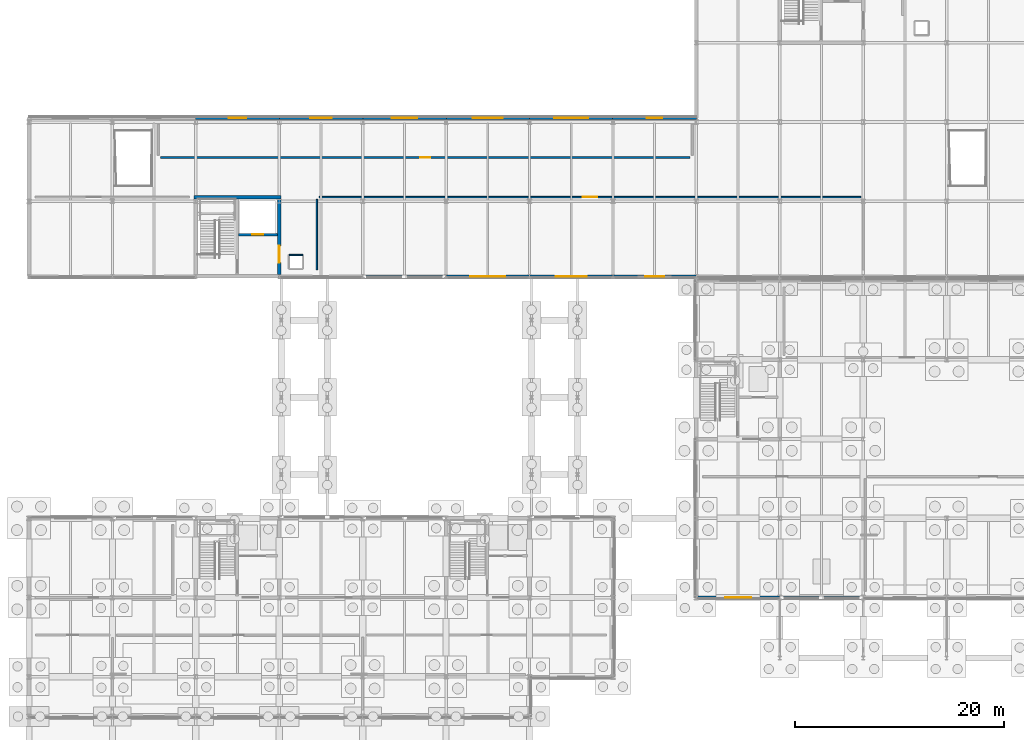
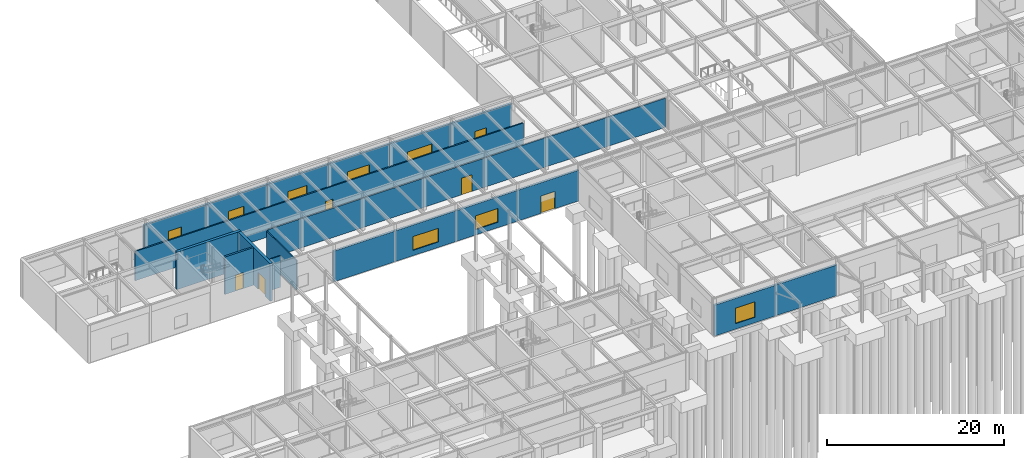
# One storey, part 42 of 62: 19 walls, 9 windows, 5 doors, 14 openings.
"""IFC4 building model written with IfcOpenShell, lengths in metres."""

from ifc_helpers import new_model, si_unit, direction, frame, frame_2d, origin, place, context, subcontext, project, spatial, rectangle, extrude, material, layer, layer_set, type_object, element, fill, save


model = new_model("IFC4")

# Units and contexts
model_context = context("Model", 3, precision=1e-05, world=origin(), true_north=direction((0.0, 1.0)))
body_context = subcontext(model_context, "Body", "Model", "MODEL_VIEW")
ifc_project = project(units=[si_unit("LENGTHUNIT", "METRE"), si_unit("AREAUNIT", "SQUARE_METRE"), si_unit("VOLUMEUNIT", "CUBIC_METRE"), si_unit("PLANEANGLEUNIT", "RADIAN"), si_unit("MASSUNIT", "GRAM", prefix="KILO")], contexts=[model_context])

# Site, building, storey
site_placement = place(None, origin())
site = spatial("IfcSite", under=ifc_project, at=site_placement, CompositionType="ELEMENT")
building_placement = place(site_placement, origin())
building = spatial("IfcBuilding", under=site, at=building_placement, Name="Zulena Civic Courthouse", CompositionType="ELEMENT")
storey_placement = place(building_placement, origin())
storey = spatial("IfcBuildingStorey", under=building, at=storey_placement, Name="L00", CompositionType="ELEMENT", Elevation=0.0)

# Wall, opening, door
ifc_material_1 = material(Name="Concrete C40/50", Category="concrete")
ifc_layer_1 = layer(ifc_material_1, 0.25)
ifc_layer_set_1 = layer_set([ifc_layer_1], Name="Concrete C40/50")
wall_type_1 = type_object("IfcWallType", Name="CoreShearWall_RC250", PredefinedType="SHEAR", material=ifc_layer_set_1)
wall_1_placement = place(storey_placement, frame((24.074951171875, 50.0, 0.0), z_axis=(0.0, 0.0, 1.0), x_axis=(1.0, 0.0, 0.0)))
wall_1 = element("IfcWall", 1, at=wall_1_placement, inside=storey, type_object=wall_type_1, Name="cwall:K5A:L00:SHF", PredefinedType="SHEAR", context=body_context, shape_type="SweptSolid", body=[
    extrude(rectangle(XDim=3.75, YDim=0.25, at=frame_2d((1.875, 0.0))), origin(), (0.0, 0.0, 1.0), 5.18994140625),
])
opening_1_placement = place(wall_1_placement, frame((1.344970703125, 0.0, 0.0)))
opening_1 = element("IfcOpeningElement", 2, at=opening_1_placement, cuts=wall_1, Name="Opening LD03", PredefinedType="OPENING", context=body_context, shape_type="SweptSolid", body=[
    extrude(rectangle(XDim=1.050048828125, YDim=2.199951171875, at=frame_2d((0.52490234375, 1.10009765625))), frame((0.0, 0.135009765625, 0.0), z_axis=(0.0, -1.0, 0.0), x_axis=(1.0, 0.0, 0.0)), (0.0, 0.0, 1.0), 0.27001953125),
])
ifc_material_2 = material(Name="Fire-rated galvanised steel ASTM A653 Grade 50", Category="steel")
door_type_1 = type_object("IfcDoorType", Name="LiftLandingDoor_Jud_1050x2200", OperationType="SLIDING_TO_RIGHT", PredefinedType="DOOR", material=ifc_material_2)
door_1_placement = place(opening_1_placement, origin())
door_1 = element("IfcDoor", 3, at=door_1_placement, inside=storey, type_object=door_type_1, Name="door:ld:JL-02:L00", OperationType="SLIDING_TO_RIGHT", OverallHeight=2.199951171875, OverallWidth=1.050048828125, PredefinedType="DOOR", context=body_context, shape_type="SweptSolid", body=[
    extrude(rectangle(XDim=1.050048828125, YDim=2.199951171875, at=frame_2d((0.52490234375, 1.10009765625))), frame((0.0, 0.02490234375, 0.0), z_axis=(0.0, -1.0, 0.0), x_axis=(1.0, 0.0, 0.0)), (0.0, 0.0, 1.0), 0.050048828125),
])
fill(opening_1, door_1)

# Wall
ifc_layer_2 = layer(ifc_material_1, 0.35009765625)
ifc_layer_set_2 = layer_set([ifc_layer_2], Name="Concrete C40/50")
wall_type_2 = type_object("IfcWallType", Name="CoreShearWall_RC350", PredefinedType="SHEAR", material=ifc_layer_set_2)
wall_2_placement = place(storey_placement, frame((19.824951171875, 53.60009765625, 0.0), z_axis=(0.0, 0.0, 1.0), x_axis=(1.0, 0.0, 0.0)))
element("IfcWall", 4, at=wall_2_placement, inside=storey, type_object=wall_type_2, Name="cwall:K5A:L00:N", PredefinedType="SHEAR", context=body_context, shape_type="SweptSolid", body=[
    extrude(rectangle(XDim=8.35009765625, YDim=0.35009765625, at=frame_2d((4.175048828125, 0.0))), origin(), (0.0, 0.0, 1.0), 5.18994140625),
])

# Wall, opening, door
wall_3_placement = place(storey_placement, frame((28.0, 46.175048828125, 0.0), z_axis=(0.0, 0.0, 1.0), x_axis=(0.0, 1.0, 0.0)))
wall_3 = element("IfcWall", 5, at=wall_3_placement, inside=storey, type_object=wall_type_2, Name="cwall:K5A:L00:E", PredefinedType="SHEAR", context=body_context, shape_type="SweptSolid", body=[
    extrude(rectangle(XDim=7.25, YDim=0.35009765625, at=frame_2d((3.625, 0.0))), origin(), (0.0, 0.0, 1.0), 5.18994140625),
])
opening_2_placement = place(wall_3_placement, frame((1.14990234375, 0.0, 0.0)))
opening_2 = element("IfcOpeningElement", 6, at=opening_2_placement, cuts=wall_3, Name="Opening ID04", PredefinedType="OPENING", context=body_context, shape_type="SweptSolid", body=[
    extrude(rectangle(XDim=1.60009765625, YDim=2.35009765625, at=frame_2d((0.800048828125, 1.175048828125))), frame((0.0, 0.18505859375, 0.0), z_axis=(0.0, -1.0, 0.0), x_axis=(1.0, 0.0, 0.0)), (0.0, 0.0, 1.0), 0.3701171875),
])
ifc_material_3 = material(Name="Solid-core acoustic hardwood timber", Category="wood")
door_type_2 = type_object("IfcDoorType", Name="IntDoor_CourtPublic_1600x2350", OperationType="DOUBLE_DOOR_SINGLE_SWING", PredefinedType="DOOR", material=ifc_material_3)
door_2_placement = place(opening_2_placement, origin())
door_2 = element("IfcDoor", 7, at=door_2_placement, inside=storey, type_object=door_type_2, Name="door:corelob:K5A:L00", OperationType="DOUBLE_DOOR_SINGLE_SWING", OverallHeight=2.35009765625, OverallWidth=1.60009765625, PredefinedType="DOOR", context=body_context, shape_type="SweptSolid", body=[
    extrude(rectangle(XDim=1.60009765625, YDim=2.35009765625, at=frame_2d((0.800048828125, 1.175048828125))), frame((0.0, 0.02490234375, 0.0), z_axis=(0.0, -1.0, 0.0), x_axis=(1.0, 0.0, 0.0)), (0.0, 0.0, 1.0), 0.050048828125),
])
fill(opening_2, door_2)

# Wall, opening, window
ifc_material_4 = material(Name="Buff architectural precast concrete C40/50", Category="concrete")
ifc_layer_3 = layer(ifc_material_4, 0.264892578125)
ifc_layer_set_3 = layer_set([ifc_layer_3], Name="Buff architectural precast concrete C40/50")
wall_type_3 = type_object("IfcWallType", Name="ExtWall_BuffPrecast_265", PredefinedType="STANDARD", material=ifc_layer_set_3)
wall_4_placement = place(storey_placement, frame((19.97998046875, 61.199951171875, 0.0), z_axis=(0.0, 0.0, 1.0), x_axis=(1.0, 0.0, 0.0)))
wall_4 = element("IfcWall", 8, at=wall_4_placement, inside=storey, type_object=wall_type_3, Name="ewall:V5:L00:1:2", PredefinedType="STANDARD", context=body_context, shape_type="SweptSolid", body=[
    extrude(rectangle(XDim=8.0400390625, YDim=0.264892578125, at=frame_2d((4.02001953125, 0.0))), origin(), (0.0, 0.0, 1.0), 4.25),
])
opening_3_placement = place(wall_4_placement, frame((3.195068359375, 0.0, 0.75)))
opening_3 = element("IfcOpeningElement", 9, at=opening_3_placement, cuts=wall_4, Name="Opening WN25", PredefinedType="OPENING", context=body_context, shape_type="SweptSolid", body=[
    extrude(rectangle(XDim=1.64990234375, YDim=1.550048828125, at=frame_2d((0.824951171875, 0.77490234375))), frame((0.0, 0.142333984375, 0.0), z_axis=(0.0, -1.0, 0.0), x_axis=(1.0, 0.0, 0.0)), (0.0, 0.0, 1.0), 0.284912109375),
])
ifc_material_5 = material(Name="Double-silver low-E laminated solar-control glass", Category="glass")
window_type_1 = type_object("IfcWindowType", Name="Win_1650x1550", PartitioningType="SINGLE_PANEL", PredefinedType="WINDOW", material=ifc_material_5)
window_1_placement = place(opening_3_placement, origin())
window_1 = element("IfcWindow", 10, at=window_1_placement, inside=storey, type_object=window_type_1, Name="win:V5:L00:1:2", OverallHeight=1.550048828125, OverallWidth=1.64990234375, PartitioningType="SINGLE_PANEL", PredefinedType="WINDOW", context=body_context, shape_type="SweptSolid", body=[
    extrude(rectangle(XDim=1.64990234375, YDim=1.550048828125, at=frame_2d((0.824951171875, 0.77490234375))), frame((0.0, 0.030029296875, 0.0), z_axis=(0.0, -1.0, 0.0), x_axis=(1.0, 0.0, 0.0)), (0.0, 0.0, 1.0), 0.06005859375),
])
fill(opening_3, window_1)

wall_5_placement = place(storey_placement, frame((27.97998046875, 61.199951171875, 0.0), z_axis=(0.0, 0.0, 1.0), x_axis=(1.0, 0.0, 0.0)))
wall_5 = element("IfcWall", 11, at=wall_5_placement, inside=storey, type_object=wall_type_3, Name="ewall:V5:L00:1:3", PredefinedType="STANDARD", context=body_context, shape_type="SweptSolid", body=[
    extrude(rectangle(XDim=8.0400390625, YDim=0.264892578125, at=frame_2d((4.02001953125, 0.0))), origin(), (0.0, 0.0, 1.0), 4.25),
])
opening_4_placement = place(wall_5_placement, frame((2.9951171875, 0.0, 0.75)))
opening_4 = element("IfcOpeningElement", 12, at=opening_4_placement, cuts=wall_5, Name="Opening WN26", PredefinedType="OPENING", context=body_context, shape_type="SweptSolid", body=[
    extrude(rectangle(XDim=2.050048828125, YDim=1.550048828125, at=frame_2d((1.02490234375, 0.77490234375))), frame((0.0, 0.142333984375, 0.0), z_axis=(0.0, -1.0, 0.0), x_axis=(1.0, 0.0, 0.0)), (0.0, 0.0, 1.0), 0.284912109375),
])
window_type_2 = type_object("IfcWindowType", Name="Win_2050x1550", PartitioningType="DOUBLE_PANEL_VERTICAL", PredefinedType="WINDOW", material=ifc_material_5)
window_2_placement = place(opening_4_placement, origin())
window_2 = element("IfcWindow", 13, at=window_2_placement, inside=storey, type_object=window_type_2, Name="win:V5:L00:1:3", OverallHeight=1.550048828125, OverallWidth=2.050048828125, PartitioningType="SINGLE_PANEL", PredefinedType="WINDOW", context=body_context, shape_type="SweptSolid", body=[
    extrude(rectangle(XDim=2.050048828125, YDim=1.550048828125, at=frame_2d((1.02490234375, 0.77490234375))), frame((0.0, 0.030029296875, 0.0), z_axis=(0.0, -1.0, 0.0), x_axis=(1.0, 0.0, 0.0)), (0.0, 0.0, 1.0), 0.06005859375),
])
fill(opening_4, window_2)

wall_6_placement = place(storey_placement, frame((35.97998046875, 61.199951171875, 0.0), z_axis=(0.0, 0.0, 1.0), x_axis=(1.0, 0.0, 0.0)))
wall_6 = element("IfcWall", 14, at=wall_6_placement, inside=storey, type_object=wall_type_3, Name="ewall:V5:L00:1:4", PredefinedType="STANDARD", context=body_context, shape_type="SweptSolid", body=[
    extrude(rectangle(XDim=8.0400390625, YDim=0.264892578125, at=frame_2d((4.02001953125, 0.0))), origin(), (0.0, 0.0, 1.0), 4.25),
])
opening_5_placement = place(wall_6_placement, frame((2.794921875, 0.0, 0.75)))
opening_5 = element("IfcOpeningElement", 15, at=opening_5_placement, cuts=wall_6, Name="Opening WN27", PredefinedType="OPENING", context=body_context, shape_type="SweptSolid", body=[
    extrude(rectangle(XDim=2.449951171875, YDim=1.550048828125, at=frame_2d((1.22509765625, 0.77490234375))), frame((0.0, 0.142333984375, 0.0), z_axis=(0.0, -1.0, 0.0), x_axis=(1.0, 0.0, 0.0)), (0.0, 0.0, 1.0), 0.284912109375),
])
window_type_3 = type_object("IfcWindowType", Name="Win_2450x1550", PartitioningType="DOUBLE_PANEL_VERTICAL", PredefinedType="WINDOW", material=ifc_material_5)
window_3_placement = place(opening_5_placement, origin())
window_3 = element("IfcWindow", 16, at=window_3_placement, inside=storey, type_object=window_type_3, Name="win:V5:L00:1:4", OverallHeight=1.550048828125, OverallWidth=2.449951171875, PartitioningType="SINGLE_PANEL", PredefinedType="WINDOW", context=body_context, shape_type="SweptSolid", body=[
    extrude(rectangle(XDim=2.449951171875, YDim=1.550048828125, at=frame_2d((1.22509765625, 0.77490234375))), frame((0.0, 0.030029296875, 0.0), z_axis=(0.0, -1.0, 0.0), x_axis=(1.0, 0.0, 0.0)), (0.0, 0.0, 1.0), 0.06005859375),
])
fill(opening_5, window_3)

wall_7_placement = place(storey_placement, frame((43.97998046875, 61.199951171875, 0.0), z_axis=(0.0, 0.0, 1.0), x_axis=(1.0, 0.0, 0.0)))
wall_7 = element("IfcWall", 17, at=wall_7_placement, inside=storey, type_object=wall_type_3, Name="ewall:V5:L00:1:5", PredefinedType="STANDARD", context=body_context, shape_type="SweptSolid", body=[
    extrude(rectangle(XDim=8.0400390625, YDim=0.264892578125, at=frame_2d((4.02001953125, 0.0))), origin(), (0.0, 0.0, 1.0), 4.25),
])
opening_6_placement = place(wall_7_placement, frame((2.594970703125, 0.0, 0.75)))
opening_6 = element("IfcOpeningElement", 18, at=opening_6_placement, cuts=wall_7, Name="Opening WN28", PredefinedType="OPENING", context=body_context, shape_type="SweptSolid", body=[
    extrude(rectangle(XDim=2.85009765625, YDim=1.550048828125, at=frame_2d((1.425048828125, 0.77490234375))), frame((0.0, 0.142333984375, 0.0), z_axis=(0.0, -1.0, 0.0), x_axis=(1.0, 0.0, 0.0)), (0.0, 0.0, 1.0), 0.284912109375),
])
window_type_4 = type_object("IfcWindowType", Name="Win_2850x1550", PartitioningType="DOUBLE_PANEL_VERTICAL", PredefinedType="WINDOW", material=ifc_material_5)
window_4_placement = place(opening_6_placement, origin())
window_4 = element("IfcWindow", 19, at=window_4_placement, inside=storey, type_object=window_type_4, Name="win:V5:L00:1:5", OverallHeight=1.550048828125, OverallWidth=2.85009765625, PartitioningType="SINGLE_PANEL", PredefinedType="WINDOW", context=body_context, shape_type="SweptSolid", body=[
    extrude(rectangle(XDim=2.85009765625, YDim=1.550048828125, at=frame_2d((1.425048828125, 0.77490234375))), frame((0.0, 0.030029296875, 0.0), z_axis=(0.0, -1.0, 0.0), x_axis=(1.0, 0.0, 0.0)), (0.0, 0.0, 1.0), 0.06005859375),
])
fill(opening_6, window_4)

wall_8_placement = place(storey_placement, frame((51.97998046875, 61.199951171875, 0.0), z_axis=(0.0, 0.0, 1.0), x_axis=(1.0, 0.0, 0.0)))
wall_8 = element("IfcWall", 20, at=wall_8_placement, inside=storey, type_object=wall_type_3, Name="ewall:V5:L00:1:6", PredefinedType="STANDARD", context=body_context, shape_type="SweptSolid", body=[
    extrude(rectangle(XDim=8.0400390625, YDim=0.264892578125, at=frame_2d((4.02001953125, 0.0))), origin(), (0.0, 0.0, 1.0), 4.25),
])
opening_7_placement = place(wall_8_placement, frame((2.39501953125, 0.0, 0.75)))
opening_7 = element("IfcOpeningElement", 21, at=opening_7_placement, cuts=wall_8, Name="Opening WN29", PredefinedType="OPENING", context=body_context, shape_type="SweptSolid", body=[
    extrude(rectangle(XDim=3.25, YDim=1.550048828125, at=frame_2d((1.625, 0.77490234375))), frame((0.0, 0.142333984375, 0.0), z_axis=(0.0, -1.0, 0.0), x_axis=(1.0, 0.0, 0.0)), (0.0, 0.0, 1.0), 0.284912109375),
])
window_type_5 = type_object("IfcWindowType", Name="Win_3250x1550", PartitioningType="DOUBLE_PANEL_VERTICAL", PredefinedType="WINDOW", material=ifc_material_5)
window_5_placement = place(opening_7_placement, origin())
window_5 = element("IfcWindow", 22, at=window_5_placement, inside=storey, type_object=window_type_5, Name="win:V5:L00:1:6", OverallHeight=1.550048828125, OverallWidth=3.25, PartitioningType="SINGLE_PANEL", PredefinedType="WINDOW", context=body_context, shape_type="SweptSolid", body=[
    extrude(rectangle(XDim=3.25, YDim=1.550048828125, at=frame_2d((1.625, 0.77490234375))), frame((0.0, 0.030029296875, 0.0), z_axis=(0.0, -1.0, 0.0), x_axis=(1.0, 0.0, 0.0)), (0.0, 0.0, 1.0), 0.06005859375),
])
fill(opening_7, window_5)

wall_9_placement = place(storey_placement, frame((59.97998046875, 61.199951171875, 0.0), z_axis=(0.0, 0.0, 1.0), x_axis=(1.0, 0.0, 0.0)))
wall_9 = element("IfcWall", 23, at=wall_9_placement, inside=storey, type_object=wall_type_3, Name="ewall:V5:L00:1:7", PredefinedType="STANDARD", context=body_context, shape_type="SweptSolid", body=[
    extrude(rectangle(XDim=8.0400390625, YDim=0.264892578125, at=frame_2d((4.02001953125, 0.0))), origin(), (0.0, 0.0, 1.0), 4.25),
])
opening_8_placement = place(wall_9_placement, frame((3.27001953125, 0.0, 0.75)))
opening_8 = element("IfcOpeningElement", 24, at=opening_8_placement, cuts=wall_9, Name="Opening WN30", PredefinedType="OPENING", context=body_context, shape_type="SweptSolid", body=[
    extrude(rectangle(XDim=1.5, YDim=1.300048828125, at=frame_2d((0.75, 0.64990234375))), frame((0.0, 0.142333984375, 0.0), z_axis=(0.0, -1.0, 0.0), x_axis=(1.0, 0.0, 0.0)), (0.0, 0.0, 1.0), 0.284912109375),
])
window_type_6 = type_object("IfcWindowType", Name="Win_1500x1300", PartitioningType="SINGLE_PANEL", PredefinedType="WINDOW", material=ifc_material_5)
window_6_placement = place(opening_8_placement, origin())
window_6 = element("IfcWindow", 25, at=window_6_placement, inside=storey, type_object=window_type_6, Name="win:V5:L00:1:7", OverallHeight=1.300048828125, OverallWidth=1.5, PartitioningType="SINGLE_PANEL", PredefinedType="WINDOW", context=body_context, shape_type="SweptSolid", body=[
    extrude(rectangle(XDim=1.5, YDim=1.300048828125, at=frame_2d((0.75, 0.64990234375))), frame((0.0, 0.030029296875, 0.0), z_axis=(0.0, -1.0, 0.0), x_axis=(1.0, 0.0, 0.0)), (0.0, 0.0, 1.0), 0.06005859375),
])
fill(opening_8, window_6)

# Wall, opening, door
wall_10_placement = place(storey_placement, frame((68.02001953125, 46.0, 0.0), z_axis=(0.0, 0.0, 1.0), x_axis=(-1.0, 0.0, 0.0)))
wall_10 = element("IfcWall", 26, at=wall_10_placement, inside=storey, type_object=wall_type_3, Name="ewall:V5:L00:5:5", PredefinedType="STANDARD", context=body_context, shape_type="SweptSolid", body=[
    extrude(rectangle(XDim=8.0400390625, YDim=0.264892578125, at=frame_2d((4.02001953125, 0.0))), origin(), (0.0, 0.0, 1.0), 4.25),
])
opening_9_placement = place(wall_10_placement, frame((3.094970703125, 0.0, 0.0)))
opening_9 = element("IfcOpeningElement", 27, at=opening_9_placement, cuts=wall_10, Name="Opening ED04", PredefinedType="OPENING", context=body_context, shape_type="SweptSolid", body=[
    extrude(rectangle(XDim=1.85009765625, YDim=2.39990234375, at=frame_2d((0.925048828125, 1.199951171875))), frame((0.0, 0.142333984375, 0.0), z_axis=(0.0, -1.0, 0.0), x_axis=(1.0, 0.0, 0.0)), (0.0, 0.0, 1.0), 0.284912109375),
])
ifc_material_6 = material(Name="Galvanised architectural steel ASTM A653 Grade 50", Category="steel")
door_type_3 = type_object("IfcDoorType", Name="ExtDoor_ExitDouble_1850x2400", OperationType="DOUBLE_DOOR_SINGLE_SWING", PredefinedType="DOOR", material=ifc_material_6)
door_3_placement = place(opening_9_placement, origin())
door_3 = element("IfcDoor", 28, at=door_3_placement, inside=storey, type_object=door_type_3, Name="door:ext:V5:L00:5:5", OperationType="DOUBLE_DOOR_SINGLE_SWING", OverallHeight=2.39990234375, OverallWidth=1.85009765625, PredefinedType="DOOR", context=body_context, shape_type="SweptSolid", body=[
    extrude(rectangle(XDim=1.85009765625, YDim=2.39990234375, at=frame_2d((0.925048828125, 1.199951171875))), frame((0.0, 0.02490234375, 0.0), z_axis=(0.0, -1.0, 0.0), x_axis=(1.0, 0.0, 0.0)), (0.0, 0.0, 1.0), 0.050048828125),
])
fill(opening_9, door_3)

# Wall, opening, window
wall_11_placement = place(storey_placement, frame((60.02001953125, 46.0, 0.0), z_axis=(0.0, 0.0, 1.0), x_axis=(-1.0, 0.0, 0.0)))
wall_11 = element("IfcWall", 29, at=wall_11_placement, inside=storey, type_object=wall_type_3, Name="ewall:V5:L00:5:6", PredefinedType="STANDARD", context=body_context, shape_type="SweptSolid", body=[
    extrude(rectangle(XDim=8.0400390625, YDim=0.264892578125, at=frame_2d((4.02001953125, 0.0))), origin(), (0.0, 0.0, 1.0), 4.25),
])
opening_10_placement = place(wall_11_placement, frame((2.544921875, 0.0, 0.75)))
opening_10 = element("IfcOpeningElement", 30, at=opening_10_placement, cuts=wall_11, Name="Opening WN40", PredefinedType="OPENING", context=body_context, shape_type="SweptSolid", body=[
    extrude(rectangle(XDim=2.949951171875, YDim=1.89990234375, at=frame_2d((1.47509765625, 0.949951171875))), frame((0.0, 0.142333984375, 0.0), z_axis=(0.0, -1.0, 0.0), x_axis=(1.0, 0.0, 0.0)), (0.0, 0.0, 1.0), 0.284912109375),
])
window_type_7 = type_object("IfcWindowType", Name="Win_2950x1900", PartitioningType="DOUBLE_PANEL_VERTICAL", PredefinedType="WINDOW", material=ifc_material_5)
window_7_placement = place(opening_10_placement, origin())
window_7 = element("IfcWindow", 31, at=window_7_placement, inside=storey, type_object=window_type_7, Name="win:V5:L00:5:6", OverallHeight=1.89990234375, OverallWidth=2.949951171875, PartitioningType="SINGLE_PANEL", PredefinedType="WINDOW", context=body_context, shape_type="SweptSolid", body=[
    extrude(rectangle(XDim=2.949951171875, YDim=1.89990234375, at=frame_2d((1.47509765625, 0.949951171875))), frame((0.0, 0.030029296875, 0.0), z_axis=(0.0, -1.0, 0.0), x_axis=(1.0, 0.0, 0.0)), (0.0, 0.0, 1.0), 0.06005859375),
])
fill(opening_10, window_7)

wall_12_placement = place(storey_placement, frame((52.02001953125, 46.0, 0.0), z_axis=(0.0, 0.0, 1.0), x_axis=(-1.0, 0.0, 0.0)))
wall_12 = element("IfcWall", 32, at=wall_12_placement, inside=storey, type_object=wall_type_3, Name="ewall:V5:L00:5:7", PredefinedType="STANDARD", context=body_context, shape_type="SweptSolid", body=[
    extrude(rectangle(XDim=8.0400390625, YDim=0.264892578125, at=frame_2d((4.02001953125, 0.0))), origin(), (0.0, 0.0, 1.0), 4.25),
])
opening_11_placement = place(wall_12_placement, frame((2.344970703125, 0.0, 0.75)))
opening_11 = element("IfcOpeningElement", 33, at=opening_11_placement, cuts=wall_12, Name="Opening WN41", PredefinedType="OPENING", context=body_context, shape_type="SweptSolid", body=[
    extrude(rectangle(XDim=3.35009765625, YDim=1.89990234375, at=frame_2d((1.675048828125, 0.949951171875))), frame((0.0, 0.142333984375, 0.0), z_axis=(0.0, -1.0, 0.0), x_axis=(1.0, 0.0, 0.0)), (0.0, 0.0, 1.0), 0.284912109375),
])
window_type_8 = type_object("IfcWindowType", Name="Win_3350x1900", PartitioningType="DOUBLE_PANEL_VERTICAL", PredefinedType="WINDOW", material=ifc_material_5)
window_8_placement = place(opening_11_placement, origin())
window_8 = element("IfcWindow", 34, at=window_8_placement, inside=storey, type_object=window_type_8, Name="win:V5:L00:5:7", OverallHeight=1.89990234375, OverallWidth=3.35009765625, PartitioningType="SINGLE_PANEL", PredefinedType="WINDOW", context=body_context, shape_type="SweptSolid", body=[
    extrude(rectangle(XDim=3.35009765625, YDim=1.89990234375, at=frame_2d((1.675048828125, 0.949951171875))), frame((0.0, 0.030029296875, 0.0), z_axis=(0.0, -1.0, 0.0), x_axis=(1.0, 0.0, 0.0)), (0.0, 0.0, 1.0), 0.06005859375),
])
fill(opening_11, window_8)

# Walls
wall_13_placement = place(storey_placement, frame((44.02001953125, 46.0, 0.0), z_axis=(0.0, 0.0, 1.0), x_axis=(-1.0, 0.0, 0.0)))
element("IfcWall", 35, at=wall_13_placement, inside=storey, type_object=wall_type_3, Name="ewall:V5:L00:5:8", PredefinedType="STANDARD", context=body_context, shape_type="SweptSolid", body=[
    extrude(rectangle(XDim=8.0400390625, YDim=0.264892578125, at=frame_2d((4.02001953125, 0.0))), origin(), (0.0, 0.0, 1.0), 4.25),
])
ifc_material_7 = material(Name="Travertine-cream architectural precast concrete C40/50", Category="masonry")
ifc_layer_4 = layer(ifc_material_7, 0.280029296875)
ifc_layer_set_4 = layer_set([ifc_layer_4], Name="Travertine-cream architectural precast concrete C40/50")
wall_type_4 = type_object("IfcWallType", Name="ExtWall_TravPrecast_280", PredefinedType="STANDARD", material=ifc_layer_set_4)
wall_14_placement = place(storey_placement, frame((84.02001953125, 15.199951171875, 0.0), z_axis=(0.0, 0.0, 1.0), x_axis=(-1.0, 0.0, 0.0)))
element("IfcWall", 36, at=wall_14_placement, inside=storey, type_object=wall_type_4, Name="ewall:V4:L00:3:5", PredefinedType="STANDARD", context=body_context, shape_type="SweptSolid", body=[
    extrude(rectangle(XDim=8.0400390625, YDim=0.280029296875, at=frame_2d((4.02001953125, 0.0))), origin(), (0.0, 0.0, 1.0), 4.25),
])

# Wall, opening, window
wall_15_placement = place(storey_placement, frame((76.02001953125, 15.199951171875, 0.0), z_axis=(0.0, 0.0, 1.0), x_axis=(-1.0, 0.0, 0.0)))
wall_15 = element("IfcWall", 37, at=wall_15_placement, inside=storey, type_object=wall_type_4, Name="ewall:V4:L00:3:6", PredefinedType="STANDARD", context=body_context, shape_type="SweptSolid", body=[
    extrude(rectangle(XDim=8.0400390625, YDim=0.280029296875, at=frame_2d((4.02001953125, 0.0))), origin(), (0.0, 0.0, 1.0), 4.25),
])
opening_12_placement = place(wall_15_placement, frame((2.77001953125, 0.0, 0.75)))
opening_12 = element("IfcOpeningElement", 38, at=opening_12_placement, cuts=wall_15, Name="Opening WN12", PredefinedType="OPENING", context=body_context, shape_type="SweptSolid", body=[
    extrude(rectangle(XDim=2.5, YDim=2.14990234375, at=frame_2d((1.25, 1.074951171875))), frame((0.0, 0.14990234375, 0.0), z_axis=(0.0, -1.0, 0.0), x_axis=(1.0, 0.0, 0.0)), (0.0, 0.0, 1.0), 0.300048828125),
])
window_type_9 = type_object("IfcWindowType", Name="Win_2500x2150", PartitioningType="DOUBLE_PANEL_VERTICAL", PredefinedType="WINDOW", material=ifc_material_5)
window_9_placement = place(opening_12_placement, origin())
window_9 = element("IfcWindow", 39, at=window_9_placement, inside=storey, type_object=window_type_9, Name="win:V4:L00:3:6", OverallHeight=2.14990234375, OverallWidth=2.5, PartitioningType="SINGLE_PANEL", PredefinedType="WINDOW", context=body_context, shape_type="SweptSolid", body=[
    extrude(rectangle(XDim=2.5, YDim=2.14990234375, at=frame_2d((1.25, 1.074951171875))), frame((0.0, 0.030029296875, 0.0), z_axis=(0.0, -1.0, 0.0), x_axis=(1.0, 0.0, 0.0)), (0.0, 0.0, 1.0), 0.06005859375),
])
fill(opening_12, window_9)

# Wall, opening, door
ifc_material_8 = material(Name="Acoustic fire-rated gypsum board assembly", Category="masonry")
ifc_layer_5 = layer(ifc_material_8, 0.14599609375)
ifc_layer_set_5 = layer_set([ifc_layer_5], Name="Acoustic fire-rated gypsum board assembly")
wall_type_5 = type_object("IfcWallType", Name="PartWall_Chambers_146", PredefinedType="PARTITIONING", material=ifc_layer_set_5)
wall_16_placement = place(storey_placement, frame((31.820068359375, 53.60009765625, 0.0), z_axis=(0.0, 0.0, 1.0), x_axis=(1.0, 0.0, 0.0)))
wall_16 = element("IfcWall", 40, at=wall_16_placement, inside=storey, type_object=wall_type_5, Name="pwall:L00:376:0", PredefinedType="PARTITIONING", context=body_context, shape_type="SweptSolid", body=[
    extrude(rectangle(XDim=51.9599609375, YDim=0.14599609375, at=frame_2d((25.97998046875, 0.0))), origin(), (0.0, 0.0, 1.0), 4.050048828125),
])
opening_13_placement = place(wall_16_placement, frame((25.280029296875, 0.0, 0.0)))
opening_13 = element("IfcOpeningElement", 41, at=opening_13_placement, cuts=wall_16, Name="Opening ID28", PredefinedType="OPENING", context=body_context, shape_type="SweptSolid", body=[
    extrude(rectangle(XDim=1.39990234375, YDim=2.300048828125, at=frame_2d((0.699951171875, 1.14990234375))), frame((0.0, 0.0830078125, 0.0), z_axis=(0.0, -1.0, 0.0), x_axis=(1.0, 0.0, 0.0)), (0.0, 0.0, 1.0), 0.166015625),
])
door_type_4 = type_object("IfcDoorType", Name="IntDoor_Cafe_1400x2300", OperationType="DOUBLE_DOOR_SINGLE_SWING", PredefinedType="DOOR", material=ifc_material_3)
door_4_placement = place(opening_13_placement, origin())
door_4 = element("IfcDoor", 42, at=door_4_placement, inside=storey, type_object=door_type_4, Name="door:rm:L00:376", OperationType="DOUBLE_DOOR_SINGLE_SWING", OverallHeight=2.300048828125, OverallWidth=1.39990234375, PredefinedType="DOOR", context=body_context, shape_type="SweptSolid", body=[
    extrude(rectangle(XDim=1.39990234375, YDim=2.300048828125, at=frame_2d((0.699951171875, 1.14990234375))), frame((0.0, 0.02490234375, 0.0), z_axis=(0.0, -1.0, 0.0), x_axis=(1.0, 0.0, 0.0)), (0.0, 0.0, 1.0), 0.050048828125),
])
fill(opening_13, door_4)

# Wall
wall_17_placement = place(storey_placement, frame((31.60009765625, 46.6201171875, 0.0), z_axis=(0.0, 0.0, 1.0), x_axis=(0.0, 1.0, 0.0)))
element("IfcWall", 43, at=wall_17_placement, inside=storey, type_object=wall_type_5, Name="pwall:L00:376:1", PredefinedType="PARTITIONING", context=body_context, shape_type="SweptSolid", body=[
    extrude(rectangle(XDim=6.759765625, YDim=0.14599609375, at=frame_2d((3.3798828125, 0.0))), origin(), (0.0, 0.0, 1.0), 4.050048828125),
])

# Wall, opening, door
ifc_layer_6 = layer(ifc_material_8, 0.177978515625)
ifc_layer_set_6 = layer_set([ifc_layer_6], Name="Acoustic fire-rated gypsum board assembly")
wall_type_6 = type_object("IfcWallType", Name="PartWall_Corridor_178", PredefinedType="PARTITIONING", material=ifc_layer_set_6)
wall_18_placement = place(storey_placement, frame((16.6201171875, 57.39990234375, 0.0), z_axis=(0.0, 0.0, 1.0), x_axis=(1.0, 0.0, 0.0)))
wall_18 = element("IfcWall", 44, at=wall_18_placement, inside=storey, type_object=wall_type_6, Name="pwall:L00:377:0", PredefinedType="PARTITIONING", context=body_context, shape_type="SweptSolid", body=[
    extrude(rectangle(XDim=50.759765625, YDim=0.177978515625, at=frame_2d((25.3798828125, 0.0))), origin(), (0.0, 0.0, 1.0), 4.050048828125),
])
opening_14_placement = place(wall_18_placement, frame((24.889892578125, 0.0, 0.0)))
opening_14 = element("IfcOpeningElement", 45, at=opening_14_placement, cuts=wall_18, Name="Opening ID29", PredefinedType="OPENING", context=body_context, shape_type="SweptSolid", body=[
    extrude(rectangle(XDim=0.97998046875, YDim=2.25, at=frame_2d((0.489990234375, 1.125))), frame((0.0, 0.098876953125, 0.0), z_axis=(0.0, -1.0, 0.0), x_axis=(1.0, 0.0, 0.0)), (0.0, 0.0, 1.0), 0.197998046875),
])
door_type_5 = type_object("IfcDoorType", Name="IntDoor_Clerks_980x2250", OperationType="NOTDEFINED", PredefinedType="DOOR", material=ifc_material_3)
door_5_placement = place(opening_14_placement, origin())
door_5 = element("IfcDoor", 46, at=door_5_placement, inside=storey, type_object=door_type_5, Name="door:rm:L00:377", OperationType="SINGLE_SWING_RIGHT", OverallHeight=2.25, OverallWidth=0.97998046875, PredefinedType="DOOR", context=body_context, shape_type="SweptSolid", body=[
    extrude(rectangle(XDim=0.97998046875, YDim=2.25, at=frame_2d((0.489990234375, 1.125))), frame((0.0, 0.02490234375, 0.0), z_axis=(0.0, -1.0, 0.0), x_axis=(1.0, 0.0, 0.0)), (0.0, 0.0, 1.0), 0.050048828125),
])
fill(opening_14, door_5)

# Wall
ifc_material_9 = material(Name="Insulated blockwork masonry ASTM C90", Category="masonry")
ifc_layer_7 = layer(ifc_material_9, 0.114990234375)
ifc_layer_set_7 = layer_set([ifc_layer_7], Name="Insulated blockwork masonry ASTM C90")
wall_type_7 = type_object("IfcWallType", Name="PartWall_Riser_115", PredefinedType="PARTITIONING", material=ifc_layer_set_7)
wall_19_placement = place(storey_placement, frame((30.260009765625, 48.06005859375, 0.0), z_axis=(0.0, 0.0, 1.0), x_axis=(-1.0, 0.0, 0.0)))
element("IfcWall", 47, at=wall_19_placement, inside=storey, type_object=wall_type_7, Name="riser:RS-V5W:L00:2", PredefinedType="PARTITIONING", context=body_context, shape_type="SweptSolid", body=[
    extrude(rectangle(XDim=1.320068359375, YDim=0.114990234375, at=frame_2d((0.66015625, 0.0))), origin(), (0.0, 0.0, 1.0), 4.35009765625),
])

save(model, "model.ifc")
